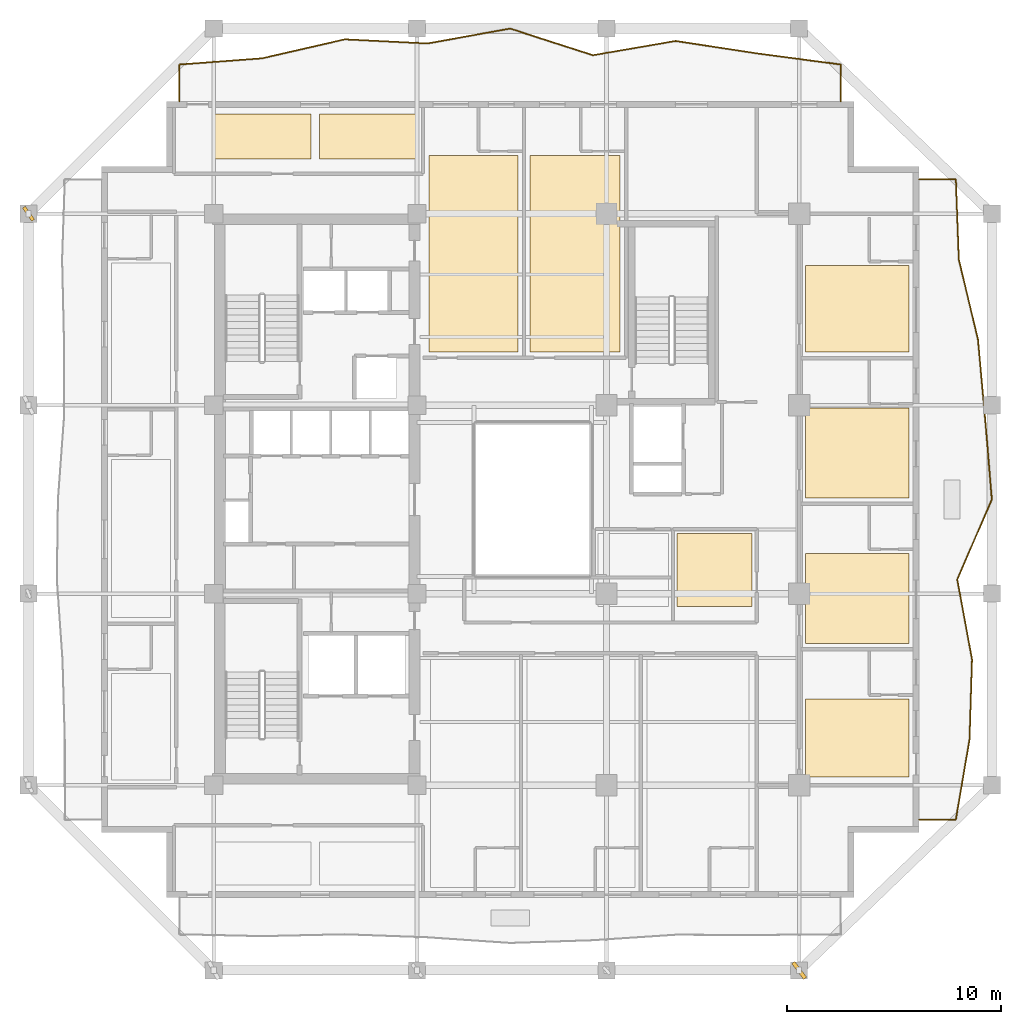
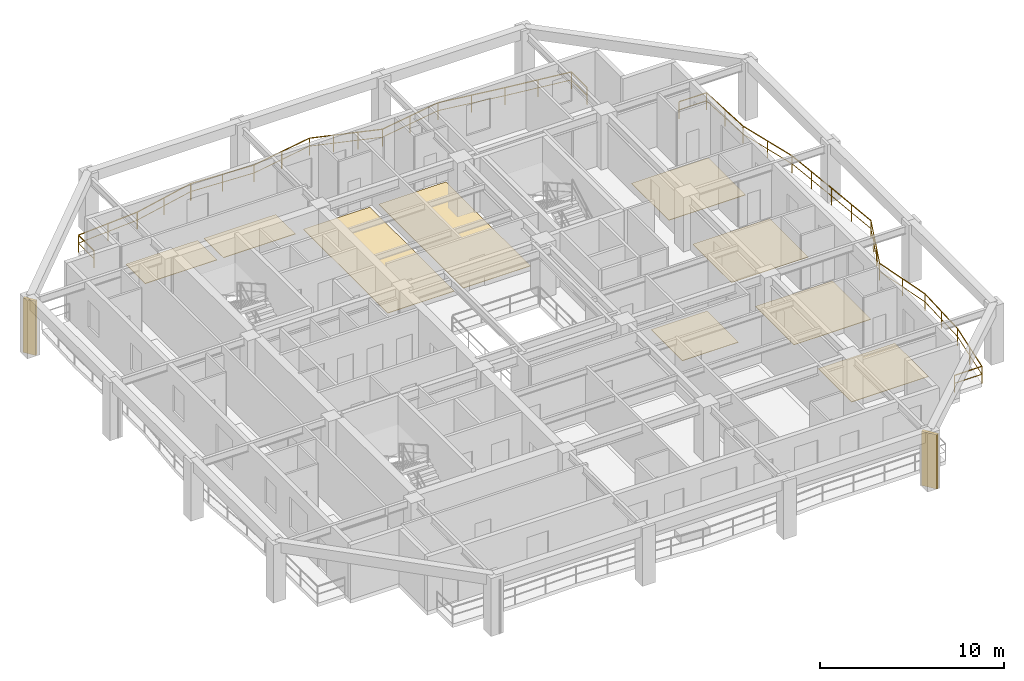
# One storey, part 11 of 12: 9 coverings, 2 railings, 2 shading devices.
"""IFC4 building model written with IfcOpenShell, lengths in metres."""

from ifc_helpers import new_model, si_unit, direction, frame, origin, origin_2d, place, context, subcontext, project, spatial, polyline, rectangle, outline, extrude, material, layer, layer_set, type_object, element, save


model = new_model("IFC4")

# Units and contexts
model_context = context("Model", 3, precision=1e-05, world=origin(), true_north=direction((0.0, 1.0)))
body_context = subcontext(model_context, "Body", "Model", "MODEL_VIEW")
ifc_project = project(units=[si_unit("LENGTHUNIT", "METRE"), si_unit("AREAUNIT", "SQUARE_METRE"), si_unit("VOLUMEUNIT", "CUBIC_METRE"), si_unit("PLANEANGLEUNIT", "RADIAN"), si_unit("MASSUNIT", "GRAM", prefix="KILO")], contexts=[model_context])

# Site, building, storey
site_placement = place(None, origin())
site = spatial("IfcSite", under=ifc_project, at=site_placement, CompositionType="ELEMENT")
building_placement = place(site_placement, origin())
building = spatial("IfcBuilding", under=site, at=building_placement, Name="Kundavana Baori Tower", CompositionType="ELEMENT")
storey_placement = place(building_placement, frame((0.0, 0.0, 134.800048828125)))
storey = spatial("IfcBuildingStorey", under=building, at=storey_placement, Name="L32", CompositionType="ELEMENT", Elevation=134.800048828125)

# Coverings
ifc_material_1 = material(Name="Honed Kota Stone and Terrazzo Flooring", Category="masonry")
ifc_layer = layer(ifc_material_1, 0.030029296875, Name="COV-INT-FLR")
ifc_layer_set = layer_set([ifc_layer], Name="Honed Kota Stone and Terrazzo Flooring")
covering_type = type_object("IfcCoveringType", Name="COV-INT-FLR", PredefinedType="FLOORING", material=ifc_layer_set)
covering_1_placement = place(storey_placement, origin())
element("IfcCovering", 1, at=covering_1_placement, inside=storey, type_object=covering_type, Name="L32 Room Finished Stone Flooring 7", PredefinedType="FLOORING", context=body_context, shape_type="SweptSolid", body=[
    extrude(outline(polyline([(43.10009765625, 15.6298828125), (47.919921875, 15.6298828125), (47.919921875, 19.27001953125), (43.10009765625, 19.27001953125), (43.10009765625, 15.6298828125)])), origin(), (0.0, 0.0, 1.0), 0.030029296875),
])
covering_2_placement = place(storey_placement, origin())
element("IfcCovering", 2, at=covering_2_placement, inside=storey, type_object=covering_type, Name="L32 Room Finished Stone Flooring 8", PredefinedType="FLOORING", context=body_context, shape_type="SweptSolid", body=[
    extrude(outline(polyline([(43.10009765625, 21.8798828125), (47.919921875, 21.8798828125), (47.919921875, 26.070068359375), (43.10009765625, 26.070068359375), (43.10009765625, 21.8798828125)])), origin(), (0.0, 0.0, 1.0), 0.030029296875),
])
covering_3_placement = place(storey_placement, origin())
element("IfcCovering", 3, at=covering_3_placement, inside=storey, type_object=covering_type, Name="L32 Room Finished Stone Flooring 9", PredefinedType="FLOORING", context=body_context, shape_type="SweptSolid", body=[
    extrude(outline(polyline([(43.10009765625, 28.679931640625), (47.919921875, 28.679931640625), (47.919921875, 32.8701171875), (43.10009765625, 32.8701171875), (43.10009765625, 28.679931640625)])), origin(), (0.0, 0.0, 1.0), 0.030029296875),
])
covering_4_placement = place(storey_placement, origin())
element("IfcCovering", 4, at=covering_4_placement, inside=storey, type_object=covering_type, Name="L32 Room Finished Stone Flooring 10", PredefinedType="FLOORING", context=body_context, shape_type="SweptSolid", body=[
    extrude(outline(polyline([(43.10009765625, 35.47998046875), (47.919921875, 35.47998046875), (47.919921875, 39.52001953125), (43.10009765625, 39.52001953125), (43.10009765625, 35.47998046875)])), origin(), (0.0, 0.0, 1.0), 0.030029296875),
])
covering_5_placement = place(storey_placement, origin())
element("IfcCovering", 5, at=covering_5_placement, inside=storey, type_object=covering_type, Name="L32 Room Finished Stone Flooring 11", PredefinedType="FLOORING", context=body_context, shape_type="SweptSolid", body=[
    extrude(outline(polyline([(25.5, 35.5), (29.669921875, 35.5), (29.669921875, 44.669921875), (25.5, 44.669921875), (25.5, 35.5)])), origin(), (0.0, 0.0, 1.0), 0.030029296875),
])
covering_6_placement = place(storey_placement, origin())
element("IfcCovering", 6, at=covering_6_placement, inside=storey, type_object=covering_type, Name="L32 Room Finished Stone Flooring 12", PredefinedType="FLOORING", context=body_context, shape_type="SweptSolid", body=[
    extrude(outline(polyline([(30.22998046875, 35.5), (34.43994140625, 35.5), (34.43994140625, 44.669921875), (30.22998046875, 44.669921875), (30.22998046875, 35.5)])), origin(), (0.0, 0.0, 1.0), 0.030029296875),
])
covering_7_placement = place(storey_placement, origin())
element("IfcCovering", 7, at=covering_7_placement, inside=storey, type_object=covering_type, Name="L32 Room Finished Stone Flooring 15", PredefinedType="FLOORING", context=body_context, shape_type="SweptSolid", body=[
    extrude(outline(polyline([(15.5, 44.5), (20.0, 44.5), (20.0, 46.6201171875), (15.5, 46.6201171875), (15.5, 44.5)])), origin(), (0.0, 0.0, 1.0), 0.030029296875),
])
covering_8_placement = place(storey_placement, origin())
element("IfcCovering", 8, at=covering_8_placement, inside=storey, type_object=covering_type, Name="L32 Room Finished Stone Flooring 16", PredefinedType="FLOORING", context=body_context, shape_type="SweptSolid", body=[
    extrude(outline(polyline([(20.39990234375, 44.5), (24.89990234375, 44.5), (24.89990234375, 46.6201171875), (20.39990234375, 46.6201171875), (20.39990234375, 44.5)])), origin(), (0.0, 0.0, 1.0), 0.030029296875),
])
covering_9_placement = place(storey_placement, origin())
element("IfcCovering", 9, at=covering_9_placement, inside=storey, type_object=covering_type, Name="L32 Room Finished Stone Flooring 18", PredefinedType="FLOORING", context=body_context, shape_type="SweptSolid", body=[
    extrude(outline(polyline([(37.10009765625, 23.60009765625), (40.60009765625, 23.60009765625), (40.60009765625, 27.0), (37.10009765625, 27.0), (37.10009765625, 23.60009765625)])), origin(), (0.0, 0.0, 1.0), 0.030029296875),
])

# Railings
ifc_material_2 = material(Name="Architectural Patinated Bronze Metalwork")
railing_type = type_object("IfcRailingType", Name="RL-BAL-1150", PredefinedType="BALUSTRADE", material=ifc_material_2)
railing_1_placement = place(storey_placement, frame((48.39990234375, 43.550048828125, 0.0)))
element("IfcRailing", 10, at=railing_1_placement, inside=storey, type_object=railing_type, Name="L32 Loggia Balcony Balustrade E", PredefinedType="BALUSTRADE", context=body_context, shape_type="SweptSolid", body=[
    extrude(rectangle(XDim=0.048095703125, YDim=0.048095703125, at=origin_2d()), frame((0.0, 0.0, 1.1259765625), z_axis=(1.0, 0.0, 0.0), x_axis=(0.0, 1.0, 0.0)), (0.0, 0.0, 1.0), 1.72021484375),
    extrude(rectangle(XDim=0.03125, YDim=0.03125, at=origin_2d()), frame((0.0, 0.0, 0.597900390625), z_axis=(1.0, 0.0, 0.0), x_axis=(0.0, 1.0, 0.0)), (0.0, 0.0, 1.0), 1.72021484375),
    extrude(rectangle(XDim=0.048095703125, YDim=0.048095703125, at=origin_2d()), frame((1.72021484375, 0.0, 1.1259765625), z_axis=(0.037397894336, -0.999300454067, 0.0), x_axis=(0.999300454067, 0.037397894336, 0.0)), (0.0, 0.0, 1.0), 3.74072265625),
    extrude(rectangle(XDim=0.03125, YDim=0.03125, at=origin_2d()), frame((1.72021484375, 0.0, 0.597900390625), z_axis=(0.037397894336, -0.999300454067, 0.0), x_axis=(0.999300454067, 0.037397894336, 0.0)), (0.0, 0.0, 1.0), 3.74072265625),
    extrude(rectangle(XDim=0.048095703125, YDim=0.048095703125, at=origin_2d()), frame((1.860107421875, -3.738037109375, 1.1259765625), z_axis=(0.232671201059, -0.972555454562, 0.0), x_axis=(0.972555454562, 0.232671201059, 0.0)), (0.0, 0.0, 1.0), 3.842529296875),
    extrude(rectangle(XDim=0.03125, YDim=0.03125, at=origin_2d()), frame((1.860107421875, -3.738037109375, 0.597900390625), z_axis=(0.232671201059, -0.972555454562, 0.0), x_axis=(0.972555454562, 0.232671201059, 0.0)), (0.0, 0.0, 1.0), 3.842529296875),
    extrude(rectangle(XDim=0.048095703125, YDim=0.048095703125, at=origin_2d()), frame((2.754150390625, -7.47509765625, 1.1259765625), z_axis=(0.090025485948, -0.995939461955, 0.0), x_axis=(0.995939461955, 0.090025485948, 0.0)), (0.0, 0.0, 1.0), 3.753173828125),
    extrude(rectangle(XDim=0.03125, YDim=0.03125, at=origin_2d()), frame((2.754150390625, -7.47509765625, 0.597900390625), z_axis=(0.090025485948, -0.995939461955, 0.0), x_axis=(0.995939461955, 0.090025485948, 0.0)), (0.0, 0.0, 1.0), 3.753173828125),
    extrude(rectangle(XDim=0.048095703125, YDim=0.048095703125, at=origin_2d()), frame((3.092041015625, -11.213134765625, 1.1259765625), z_axis=(0.082172486011, -0.996618122724, 0.0), x_axis=(0.996618122724, 0.082172486011, 0.0)), (0.0, 0.0, 1.0), 3.74951171875),
    extrude(rectangle(XDim=0.03125, YDim=0.03125, at=origin_2d()), frame((3.092041015625, -11.213134765625, 0.597900390625), z_axis=(0.082172486011, -0.996618122724, 0.0), x_axis=(0.996618122724, 0.082172486011, 0.0)), (0.0, 0.0, 1.0), 3.74951171875),
    extrude(rectangle(XDim=0.048095703125, YDim=0.048095703125, at=origin_2d()), frame((3.400146484375, -14.949951171875, 1.1259765625), z_axis=(-0.396407301281, -0.918074752671, 0.0), x_axis=(0.918074752671, -0.396407301281, 0.0)), (0.0, 0.0, 1.0), 4.071533203125),
    extrude(rectangle(XDim=0.03125, YDim=0.03125, at=origin_2d()), frame((3.400146484375, -14.949951171875, 0.597900390625), z_axis=(-0.396407301281, -0.918074752671, 0.0), x_axis=(0.918074752671, -0.396407301281, 0.0)), (0.0, 0.0, 1.0), 4.071533203125),
    extrude(rectangle(XDim=0.048095703125, YDim=0.048095703125, at=origin_2d()), frame((1.7861328125, -18.68798828125, 1.1259765625), z_axis=(0.18180170202, -0.983335213009, 0.0), x_axis=(0.983335213009, 0.18180170202, 0.0)), (0.0, 0.0, 1.0), 3.80029296875),
    extrude(rectangle(XDim=0.03125, YDim=0.03125, at=origin_2d()), frame((1.7861328125, -18.68798828125, 0.597900390625), z_axis=(0.18180170202, -0.983335213009, 0.0), x_axis=(0.983335213009, 0.18180170202, 0.0)), (0.0, 0.0, 1.0), 3.80029296875),
    extrude(rectangle(XDim=0.048095703125, YDim=0.048095703125, at=origin_2d()), frame((2.47705078125, -22.425048828125, 1.1259765625), z_axis=(-0.031269398834, -0.999510992784, 0.0), x_axis=(0.999510992784, -0.031269398834, 0.0)), (0.0, 0.0, 1.0), 3.73974609375),
    extrude(rectangle(XDim=0.03125, YDim=0.03125, at=origin_2d()), frame((2.47705078125, -22.425048828125, 0.597900390625), z_axis=(-0.031269398834, -0.999510992784, 0.0), x_axis=(0.999510992784, -0.031269398834, 0.0)), (0.0, 0.0, 1.0), 3.73974609375),
    extrude(rectangle(XDim=0.048095703125, YDim=0.048095703125, at=origin_2d()), frame((2.360107421875, -26.1630859375, 1.1259765625), z_axis=(-0.168772575076, -0.985655019721, 0.0), x_axis=(0.985655019721, -0.168772575076, 0.0)), (0.0, 0.0, 1.0), 3.79150390625),
    extrude(rectangle(XDim=0.03125, YDim=0.03125, at=origin_2d()), frame((2.360107421875, -26.1630859375, 0.597900390625), z_axis=(-0.168772575076, -0.985655019721, 0.0), x_axis=(0.985655019721, -0.168772575076, 0.0)), (0.0, 0.0, 1.0), 3.79150390625),
    extrude(rectangle(XDim=0.048095703125, YDim=0.048095703125, at=origin_2d()), frame((1.72021484375, -29.900146484375, 1.1259765625), z_axis=(-1.0, 0.0, 0.0), x_axis=(0.0, -1.0, 0.0)), (0.0, 0.0, 1.0), 1.72021484375),
    extrude(rectangle(XDim=0.03125, YDim=0.03125, at=origin_2d()), frame((1.72021484375, -29.900146484375, 0.597900390625), z_axis=(-1.0, 0.0, 0.0), x_axis=(0.0, -1.0, 0.0)), (0.0, 0.0, 1.0), 1.72021484375),
    extrude(rectangle(XDim=0.0419921875, YDim=0.0419921875, at=origin_2d()), origin(), (0.0, 0.0, 1.0), 1.101806640625),
    extrude(rectangle(XDim=0.0419921875, YDim=0.0419921875, at=origin_2d()), frame((1.72021484375, 0.0, 0.0)), (0.0, 0.0, 1.0), 1.101806640625),
    extrude(rectangle(XDim=0.0419921875, YDim=0.0419921875, at=origin_2d()), frame((1.7900390625, -1.869140625, 0.0)), (0.0, 0.0, 1.0), 1.101806640625),
    extrude(rectangle(XDim=0.0419921875, YDim=0.0419921875, at=origin_2d()), frame((1.860107421875, -3.738037109375, 0.0)), (0.0, 0.0, 1.0), 1.101806640625),
    extrude(rectangle(XDim=0.0419921875, YDim=0.0419921875, at=origin_2d()), frame((2.30712890625, -5.6064453125, 0.0)), (0.0, 0.0, 1.0), 1.101806640625),
    extrude(rectangle(XDim=0.0419921875, YDim=0.0419921875, at=origin_2d()), frame((2.754150390625, -7.47509765625, 0.0)), (0.0, 0.0, 1.0), 1.101806640625),
    extrude(rectangle(XDim=0.0419921875, YDim=0.0419921875, at=origin_2d()), frame((2.923095703125, -9.34423828125, 0.0)), (0.0, 0.0, 1.0), 1.101806640625),
    extrude(rectangle(XDim=0.0419921875, YDim=0.0419921875, at=origin_2d()), frame((3.092041015625, -11.213134765625, 0.0)), (0.0, 0.0, 1.0), 1.101806640625),
    extrude(rectangle(XDim=0.0419921875, YDim=0.0419921875, at=origin_2d()), frame((3.24609375, -13.08154296875, 0.0)), (0.0, 0.0, 1.0), 1.101806640625),
    extrude(rectangle(XDim=0.0419921875, YDim=0.0419921875, at=origin_2d()), frame((3.400146484375, -14.949951171875, 0.0)), (0.0, 0.0, 1.0), 1.101806640625),
    extrude(rectangle(XDim=0.0419921875, YDim=0.0419921875, at=origin_2d()), frame((2.862060546875, -16.196044921875, 0.0)), (0.0, 0.0, 1.0), 1.101806640625),
    extrude(rectangle(XDim=0.0419921875, YDim=0.0419921875, at=origin_2d()), frame((2.32421875, -17.44189453125, 0.0)), (0.0, 0.0, 1.0), 1.101806640625),
    extrude(rectangle(XDim=0.0419921875, YDim=0.0419921875, at=origin_2d()), frame((1.7861328125, -18.68798828125, 0.0)), (0.0, 0.0, 1.0), 1.101806640625),
    extrude(rectangle(XDim=0.0419921875, YDim=0.0419921875, at=origin_2d()), frame((2.131591796875, -20.556640625, 0.0)), (0.0, 0.0, 1.0), 1.101806640625),
    extrude(rectangle(XDim=0.0419921875, YDim=0.0419921875, at=origin_2d()), frame((2.47705078125, -22.425048828125, 0.0)), (0.0, 0.0, 1.0), 1.101806640625),
    extrude(rectangle(XDim=0.0419921875, YDim=0.0419921875, at=origin_2d()), frame((2.41845703125, -24.2939453125, 0.0)), (0.0, 0.0, 1.0), 1.101806640625),
    extrude(rectangle(XDim=0.0419921875, YDim=0.0419921875, at=origin_2d()), frame((2.360107421875, -26.1630859375, 0.0)), (0.0, 0.0, 1.0), 1.101806640625),
    extrude(rectangle(XDim=0.0419921875, YDim=0.0419921875, at=origin_2d()), frame((2.0400390625, -28.03173828125, 0.0)), (0.0, 0.0, 1.0), 1.101806640625),
    extrude(rectangle(XDim=0.0419921875, YDim=0.0419921875, at=origin_2d()), frame((1.72021484375, -29.900146484375, 0.0)), (0.0, 0.0, 1.0), 1.101806640625),
    extrude(rectangle(XDim=0.0419921875, YDim=0.0419921875, at=origin_2d()), frame((0.0, -29.900146484375, 0.0)), (0.0, 0.0, 1.0), 1.101806640625),
])
railing_2_placement = place(storey_placement, frame((13.85009765625, 47.199951171875, 0.0)))
element("IfcRailing", 11, at=railing_2_placement, inside=storey, type_object=railing_type, Name="L32 Loggia Balcony Balustrade N", PredefinedType="BALUSTRADE", context=body_context, shape_type="SweptSolid", body=[
    extrude(rectangle(XDim=0.048095703125, YDim=0.048095703125, at=origin_2d()), frame((0.0, 0.0, 1.1259765625), z_axis=(0.0, 1.0, 0.0), x_axis=(-1.0, 0.0, 0.0)), (0.0, 0.0, 1.0), 1.719970703125),
    extrude(rectangle(XDim=0.03125, YDim=0.03125, at=origin_2d()), frame((0.0, 0.0, 0.597900390625), z_axis=(0.0, 1.0, 0.0), x_axis=(-1.0, 0.0, 0.0)), (0.0, 0.0, 1.0), 1.719970703125),
    extrude(rectangle(XDim=0.048095703125, YDim=0.048095703125, at=origin_2d()), frame((0.0, 1.719970703125, 1.1259765625), z_axis=(0.997153757003, 0.075394859867, 0.0), x_axis=(-0.075394859867, 0.997153757003, 0.0)), (0.0, 0.0, 1.0), 3.872802734375),
    extrude(rectangle(XDim=0.03125, YDim=0.03125, at=origin_2d()), frame((0.0, 1.719970703125, 0.597900390625), z_axis=(0.997153757003, 0.075394859867, 0.0), x_axis=(-0.075394859867, 0.997153757003, 0.0)), (0.0, 0.0, 1.0), 3.872802734375),
    extrude(rectangle(XDim=0.048095703125, YDim=0.048095703125, at=origin_2d()), frame((3.86181640625, 2.011962890625, 1.1259765625), z_axis=(0.974693464174, 0.223545634929, 0.0), x_axis=(-0.223545634929, 0.974693464174, 0.0)), (0.0, 0.0, 1.0), 3.96337890625),
    extrude(rectangle(XDim=0.03125, YDim=0.03125, at=origin_2d()), frame((3.86181640625, 2.011962890625, 0.597900390625), z_axis=(0.974693464174, 0.223545634929, 0.0), x_axis=(-0.223545634929, 0.974693464174, 0.0)), (0.0, 0.0, 1.0), 3.96337890625),
    extrude(rectangle(XDim=0.048095703125, YDim=0.048095703125, at=origin_2d()), frame((7.724853515625, 2.89794921875, 1.1259765625), z_axis=(0.998755956632, -0.049865209236, 0.0), x_axis=(0.049865209236, 0.998755956632, 0.0)), (0.0, 0.0, 1.0), 3.867919921875),
    extrude(rectangle(XDim=0.03125, YDim=0.03125, at=origin_2d()), frame((7.724853515625, 2.89794921875, 0.597900390625), z_axis=(0.998755956632, -0.049865209236, 0.0), x_axis=(0.049865209236, 0.998755956632, 0.0)), (0.0, 0.0, 1.0), 3.867919921875),
    extrude(rectangle(XDim=0.048095703125, YDim=0.048095703125, at=origin_2d()), frame((11.587890625, 2.705078125, 1.1259765625), z_axis=(0.984187879534, 0.177127687783, 0.0), x_axis=(-0.177127687783, 0.984187879534, 0.0)), (0.0, 0.0, 1.0), 3.924072265625),
    extrude(rectangle(XDim=0.03125, YDim=0.03125, at=origin_2d()), frame((11.587890625, 2.705078125, 0.597900390625), z_axis=(0.984187879534, 0.177127687783, 0.0), x_axis=(-0.177127687783, 0.984187879534, 0.0)), (0.0, 0.0, 1.0), 3.924072265625),
    extrude(rectangle(XDim=0.048095703125, YDim=0.048095703125, at=origin_2d()), frame((15.449951171875, 3.400146484375, 1.1259765625), z_axis=(0.951782291909, -0.306774296198, 0.0), x_axis=(0.306774296198, 0.951782291909, 0.0)), (0.0, 0.0, 1.0), 4.058837890625),
    extrude(rectangle(XDim=0.03125, YDim=0.03125, at=origin_2d()), frame((15.449951171875, 3.400146484375, 0.597900390625), z_axis=(0.951782291909, -0.306774296198, 0.0), x_axis=(0.306774296198, 0.951782291909, 0.0)), (0.0, 0.0, 1.0), 4.058837890625),
    extrude(rectangle(XDim=0.048095703125, YDim=0.048095703125, at=origin_2d()), frame((19.31298828125, 2.155029296875, 1.1259765625), z_axis=(0.985410437692, 0.170194798064, 0.0), x_axis=(-0.170194798064, 0.985410437692, 0.0)), (0.0, 0.0, 1.0), 3.9189453125),
    extrude(rectangle(XDim=0.03125, YDim=0.03125, at=origin_2d()), frame((19.31298828125, 2.155029296875, 0.597900390625), z_axis=(0.985410437692, 0.170194798064, 0.0), x_axis=(-0.170194798064, 0.985410437692, 0.0)), (0.0, 0.0, 1.0), 3.9189453125),
    extrude(rectangle(XDim=0.048095703125, YDim=0.048095703125, at=origin_2d()), frame((23.1748046875, 2.822021484375, 1.1259765625), z_axis=(0.988574544434, -0.150732777115, 0.0), x_axis=(0.150732777115, 0.988574544434, 0.0)), (0.0, 0.0, 1.0), 3.90673828125),
    extrude(rectangle(XDim=0.03125, YDim=0.03125, at=origin_2d()), frame((23.1748046875, 2.822021484375, 0.597900390625), z_axis=(0.988574544434, -0.150732777115, 0.0), x_axis=(0.150732777115, 0.988574544434, 0.0)), (0.0, 0.0, 1.0), 3.90673828125),
    extrude(rectangle(XDim=0.048095703125, YDim=0.048095703125, at=origin_2d()), frame((27.036865234375, 2.233154296875, 1.1259765625), z_axis=(0.991291255863, -0.13168768374, 0.0), x_axis=(0.13168768374, 0.991291255863, 0.0)), (0.0, 0.0, 1.0), 3.89697265625),
    extrude(rectangle(XDim=0.03125, YDim=0.03125, at=origin_2d()), frame((27.036865234375, 2.233154296875, 0.597900390625), z_axis=(0.991291255863, -0.13168768374, 0.0), x_axis=(0.13168768374, 0.991291255863, 0.0)), (0.0, 0.0, 1.0), 3.89697265625),
    extrude(rectangle(XDim=0.048095703125, YDim=0.048095703125, at=origin_2d()), frame((30.89990234375, 1.719970703125, 1.1259765625), z_axis=(0.0, -1.0, 0.0), x_axis=(1.0, 0.0, 0.0)), (0.0, 0.0, 1.0), 1.719970703125),
    extrude(rectangle(XDim=0.03125, YDim=0.03125, at=origin_2d()), frame((30.89990234375, 1.719970703125, 0.597900390625), z_axis=(0.0, -1.0, 0.0), x_axis=(1.0, 0.0, 0.0)), (0.0, 0.0, 1.0), 1.719970703125),
    extrude(rectangle(XDim=0.0419921875, YDim=0.0419921875, at=origin_2d()), origin(), (0.0, 0.0, 1.0), 1.101806640625),
    extrude(rectangle(XDim=0.0419921875, YDim=0.0419921875, at=origin_2d()), frame((0.0, 1.719970703125, 0.0)), (0.0, 0.0, 1.0), 1.101806640625),
    extrude(rectangle(XDim=0.0419921875, YDim=0.0419921875, at=origin_2d()), frame((1.930908203125, 1.865966796875, 0.0)), (0.0, 0.0, 1.0), 1.101806640625),
    extrude(rectangle(XDim=0.0419921875, YDim=0.0419921875, at=origin_2d()), frame((3.86181640625, 2.011962890625, 0.0)), (0.0, 0.0, 1.0), 1.101806640625),
    extrude(rectangle(XDim=0.0419921875, YDim=0.0419921875, at=origin_2d()), frame((5.79345703125, 2.455078125, 0.0)), (0.0, 0.0, 1.0), 1.101806640625),
    extrude(rectangle(XDim=0.0419921875, YDim=0.0419921875, at=origin_2d()), frame((7.724853515625, 2.89794921875, 0.0)), (0.0, 0.0, 1.0), 1.101806640625),
    extrude(rectangle(XDim=0.0419921875, YDim=0.0419921875, at=origin_2d()), frame((9.65625, 2.801513671875, 0.0)), (0.0, 0.0, 1.0), 1.101806640625),
    extrude(rectangle(XDim=0.0419921875, YDim=0.0419921875, at=origin_2d()), frame((11.587890625, 2.705078125, 0.0)), (0.0, 0.0, 1.0), 1.101806640625),
    extrude(rectangle(XDim=0.0419921875, YDim=0.0419921875, at=origin_2d()), frame((13.51904296875, 3.052734375, 0.0)), (0.0, 0.0, 1.0), 1.101806640625),
    extrude(rectangle(XDim=0.0419921875, YDim=0.0419921875, at=origin_2d()), frame((15.449951171875, 3.400146484375, 0.0)), (0.0, 0.0, 1.0), 1.101806640625),
    extrude(rectangle(XDim=0.0419921875, YDim=0.0419921875, at=origin_2d()), frame((16.737548828125, 2.985107421875, 0.0)), (0.0, 0.0, 1.0), 1.101806640625),
    extrude(rectangle(XDim=0.0419921875, YDim=0.0419921875, at=origin_2d()), frame((18.025390625, 2.570068359375, 0.0)), (0.0, 0.0, 1.0), 1.101806640625),
    extrude(rectangle(XDim=0.0419921875, YDim=0.0419921875, at=origin_2d()), frame((19.31298828125, 2.155029296875, 0.0)), (0.0, 0.0, 1.0), 1.101806640625),
    extrude(rectangle(XDim=0.0419921875, YDim=0.0419921875, at=origin_2d()), frame((21.243896484375, 2.488525390625, 0.0)), (0.0, 0.0, 1.0), 1.101806640625),
    extrude(rectangle(XDim=0.0419921875, YDim=0.0419921875, at=origin_2d()), frame((23.1748046875, 2.822021484375, 0.0)), (0.0, 0.0, 1.0), 1.101806640625),
    extrude(rectangle(XDim=0.0419921875, YDim=0.0419921875, at=origin_2d()), frame((25.10595703125, 2.527587890625, 0.0)), (0.0, 0.0, 1.0), 1.101806640625),
    extrude(rectangle(XDim=0.0419921875, YDim=0.0419921875, at=origin_2d()), frame((27.036865234375, 2.233154296875, 0.0)), (0.0, 0.0, 1.0), 1.101806640625),
    extrude(rectangle(XDim=0.0419921875, YDim=0.0419921875, at=origin_2d()), frame((28.96826171875, 1.9765625, 0.0)), (0.0, 0.0, 1.0), 1.101806640625),
    extrude(rectangle(XDim=0.0419921875, YDim=0.0419921875, at=origin_2d()), frame((30.89990234375, 1.719970703125, 0.0)), (0.0, 0.0, 1.0), 1.101806640625),
    extrude(rectangle(XDim=0.0419921875, YDim=0.0419921875, at=origin_2d()), frame((30.89990234375, 0.0, 0.0)), (0.0, 0.0, 1.0), 1.101806640625),
])

# Shading devices
ifc_material_3 = material(Name="Red-Buff Dholpur Sandstone Cladding on Concrete C40/50", Category="masonry")
shading_device_type_1 = type_object("IfcShadingDeviceType", Name="SHD-FIN-750", PredefinedType="JALOUSIE", material=ifc_material_3)
shading_device_1_placement = place(storey_placement, frame((6.800048828125, 41.949951171875, 0.0), z_axis=(0.0, 0.0, 1.0), x_axis=(0.814824373094, 0.579707892832, 0.0)))
element("IfcShadingDevice", 12, at=shading_device_1_placement, inside=storey, type_object=shading_device_type_1, Name="L32 Sweeping Dholpur Sandstone Facade Fin 8", PredefinedType="JALOUSIE", context=body_context, shape_type="SweptSolid", body=[
    extrude(rectangle(XDim=0.159912109375, YDim=0.75, at=origin_2d()), origin(), (0.0, 0.0, 1.0), 3.60009765625),
])
ifc_material_4 = material(Name="Red-Buff Dholpur Sandstone Cladding on Concrete C40/50", Category="masonry")
shading_device_type_2 = type_object("IfcShadingDeviceType", Name="SHD-FIN-920", PredefinedType="JALOUSIE", material=ifc_material_4)
shading_device_2_placement = place(storey_placement, frame((42.800048828125, 6.60009765625, 0.0), z_axis=(0.0, 0.0, 1.0), x_axis=(0.800103635968, 0.599861793842, 0.0)))
element("IfcShadingDevice", 13, at=shading_device_2_placement, inside=storey, type_object=shading_device_type_2, Name="L32 Sweeping Dholpur Sandstone Facade Fin 4", PredefinedType="JALOUSIE", context=body_context, shape_type="SweptSolid", body=[
    extrude(rectangle(XDim=0.179931640625, YDim=0.919921875, at=origin_2d()), origin(), (0.0, 0.0, 1.0), 3.60009765625),
])

save(model, "model.ifc")
